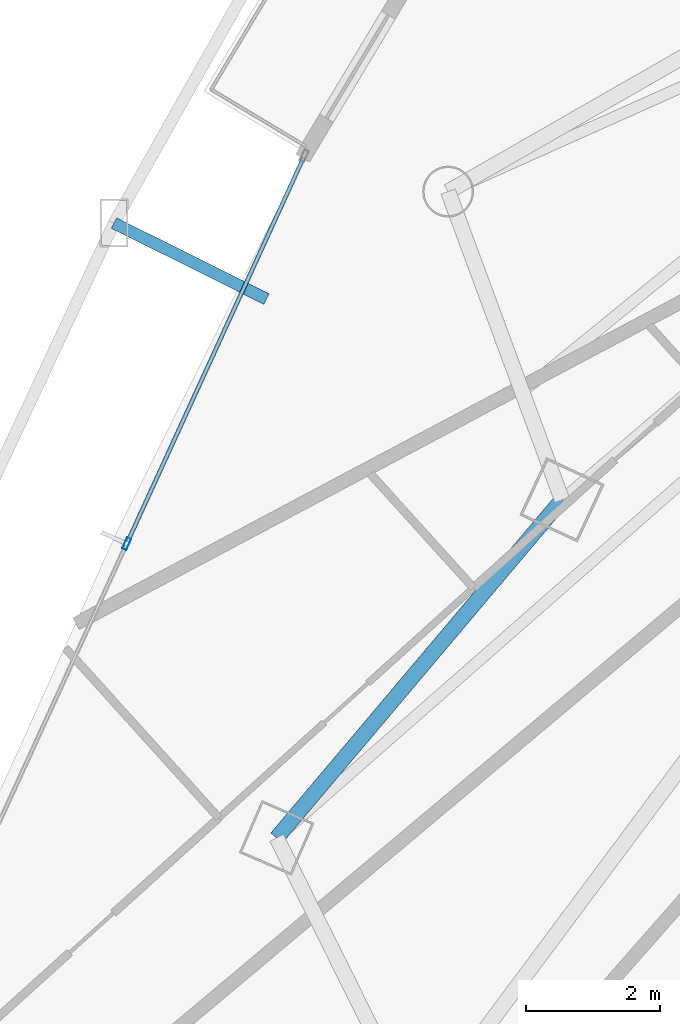
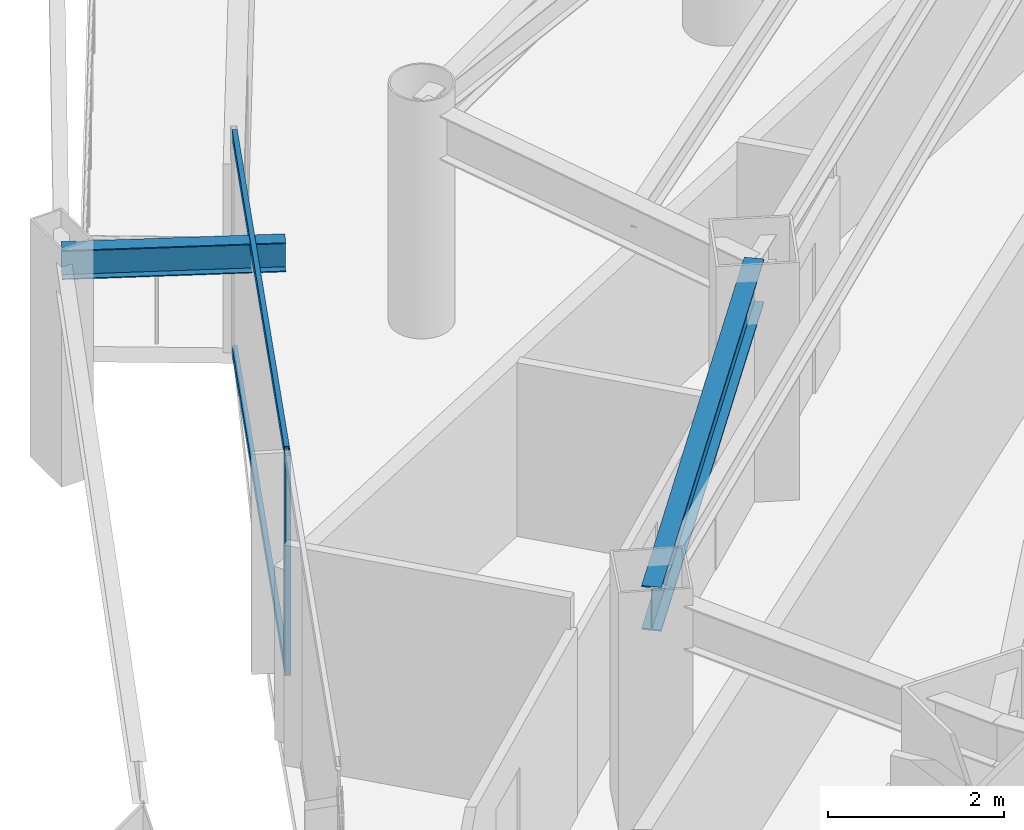
# One storey, part 9 of 38: 3 members, 2 beams, 1 element without a shape of its own.
"""IFC4 building model written with IfcOpenShell, lengths in metres."""

from ifc_helpers import new_model, si_unit, direction, frame, origin, origin_2d, place, context, subcontext, project, spatial, hollow_rectangle, i_section, extrude, material, layer, layer_set, material_profile, profile_set, type_object, element, aggregate, save


model = new_model("IFC4")

# Units and contexts
model_context = context("Model", 3, precision=1e-05, world=origin(), true_north=direction((0.0, 1.0)))
body_context = subcontext(model_context, "Body", "Model", "MODEL_VIEW")
ifc_project = project(units=[si_unit("LENGTHUNIT", "METRE"), si_unit("AREAUNIT", "SQUARE_METRE"), si_unit("VOLUMEUNIT", "CUBIC_METRE"), si_unit("PLANEANGLEUNIT", "RADIAN"), si_unit("MASSUNIT", "GRAM", prefix="KILO")], contexts=[model_context])

# Site, building, storey
site_placement = place(None, origin())
site = spatial("IfcSite", under=ifc_project, at=site_placement, CompositionType="ELEMENT")
building_placement = place(site_placement, origin())
building = spatial("IfcBuilding", under=site, at=building_placement, Name="Orvanel Arch Residences", CompositionType="ELEMENT")
storey_placement = place(building_placement, frame((0.0, 0.0, 46.699951171875)))
storey = spatial("IfcBuildingStorey", under=building, at=storey_placement, Name="L12", CompositionType="ELEMENT", Elevation=46.699951171875)

# Curtain wall, member
ifc_material_1 = material(Name="Bronze-anodised aluminium AA6063-T6", Category="aluminium")
ifc_layer = layer(ifc_material_1, 0.179931640625)
ifc_layer_set = layer_set([ifc_layer], Name="Bronze-anodised aluminium AA6063-T6")
curtain_wall_type = type_object("IfcCurtainWallType", Name="CW2-LOW-SYS", PredefinedType="NOTDEFINED", material=ifc_layer_set)
curtain_wall_placement = place(storey_placement, origin())
curtain_wall = element("IfcCurtainWall", 1, at=curtain_wall_placement, inside=storey, type_object=curtain_wall_type, Name="L12 CW2-LOW-SYS Unitised Curtain Wall", PredefinedType="NOTDEFINED")
ifc_material_profile_1 = material_profile(ifc_material_1, hollow_rectangle(XDim=0.070068359375, YDim=0.179931640625, WallThickness=0.00439453125, at=origin_2d()), Name="ALU180x70x4.5")
ifc_profile_set_1 = profile_set([ifc_material_profile_1], Name="Bronze-anodised aluminium AA6063-T6")
member_type_1 = type_object("IfcMemberType", Name="MUL-180x70", PredefinedType="MULLION", material=ifc_profile_set_1)
member_1_placement = place(storey_placement, frame((9.849609375, 18.9833984375, 0.0), z_axis=(0.0, 0.0, 1.0), x_axis=(0.909193369398, -0.416374131092, 0.0)))
member_1 = element("IfcMember", 2, at=member_1_placement, type_object=member_type_1, Name="CW-S2 mullion 2", PredefinedType="MULLION", context=body_context, shape_type="SweptSolid", body=[
    extrude(hollow_rectangle(XDim=0.070068359375, YDim=0.179931640625, WallThickness=0.00439453125, at=origin_2d()), origin(), (0.0, 0.0, 1.0), 3.06005859375),
])

# Beams
ifc_material_2 = material(Name="Structural steel AS/NZS 3679.1 Grade 300 (300 MPa)", Category="steel")
ifc_material_profile_2 = material_profile(ifc_material_2, i_section(OverallWidth=0.177978515625, OverallDepth=0.406005859375, WebThickness=0.0078125, FlangeThickness=0.0126953125, at=origin_2d()), Name="410UB59.7")
ifc_profile_set_2 = profile_set([ifc_material_profile_2], Name="Structural steel AS/NZS 3679.1 Grade 300 (300 MPa)")
beam_type_1 = type_object("IfcBeamType", Name="OB-410UB-EXT", PredefinedType="SPANDREL", material=ifc_profile_set_2)
beam_1_placement = place(storey_placement, frame((11.94189453125, 22.64794921875, 2.85693359375), z_axis=(-0.895134441845, 0.445796288704, 0.0), x_axis=(-0.445796288704, -0.895134441845, 0.0)))
element("IfcBeam", 3, at=beam_1_placement, inside=storey, type_object=beam_type_1, Name="L12 Outer Frame Radial Tie Beam 03", PredefinedType="SPANDREL", context=body_context, shape_type="SweptSolid", body=[
    extrude(i_section(OverallWidth=0.177978515625, OverallDepth=0.406005859375, WebThickness=0.0078125, FlangeThickness=0.0126953125, at=origin_2d()), origin(), (0.0, 0.0, 1.0), 2.55029296875),
])
ifc_material_profile_3 = material_profile(ifc_material_2, i_section(OverallWidth=0.22900390625, OverallDepth=0.612060546875, WebThickness=0.011962890625, FlangeThickness=0.01953125, at=origin_2d()), Name="610UB125")
ifc_profile_set_3 = profile_set([ifc_material_profile_3], Name="Structural steel AS/NZS 3679.1 Grade 300 (300 MPa)")
beam_type_2 = type_object("IfcBeamType", Name="SP-610UB", PredefinedType="SPANDREL", material=ifc_profile_set_3)
beam_2_placement = place(storey_placement, frame((16.366943359375, 19.64208984375, 2.754150390625), z_axis=(-0.644950329775, -0.764224490659, 0.0), x_axis=(0.764224490659, -0.644950329775, 0.0)))
element("IfcBeam", 4, at=beam_2_placement, inside=storey, type_object=beam_type_2, Name="L12 Perimeter Spandrel Beam 01", PredefinedType="SPANDREL", context=body_context, shape_type="SweptSolid", body=[
    extrude(i_section(OverallWidth=0.22900390625, OverallDepth=0.612060546875, WebThickness=0.011962890625, FlangeThickness=0.01953125, at=origin_2d()), origin(), (0.0, 0.0, 1.0), 6.623779296875),
])

# Member
ifc_material_profile_4 = material_profile(ifc_material_1, hollow_rectangle(XDim=0.06005859375, YDim=0.135009765625, WallThickness=0.00390625, at=origin_2d()), Name="ALU135x60x4")
ifc_profile_set_4 = profile_set([ifc_material_profile_4], Name="Bronze-anodised aluminium AA6063-T6")
member_type_2 = type_object("IfcMemberType", Name="TRN-135x60", PredefinedType="USERDEFINED", material=ifc_profile_set_4)
member_2_placement = place(storey_placement, frame((12.494873046875, 24.75927734375, 0.030029296875), z_axis=(-0.416377925515, -0.909191631695, 0.0), x_axis=(0.909191631695, -0.416377925515, 0.0)))
member_2 = element("IfcMember", 5, at=member_2_placement, type_object=member_type_2, Name="CW-S2 transom 1.1", ObjectType="TRANSOM", PredefinedType="USERDEFINED", context=body_context, shape_type="SweptSolid", body=[
    extrude(hollow_rectangle(XDim=0.06005859375, YDim=0.135009765625, WallThickness=0.00390625, at=origin_2d()), origin(), (0.0, 0.0, 1.0), 6.31787109375),
])

member_3_placement = place(storey_placement, frame((12.494873046875, 24.75927734375, 3.030029296875), z_axis=(-0.416377925515, -0.909191631695, 0.0), x_axis=(0.909191631695, -0.416377925515, 0.0)))
member_3 = element("IfcMember", 6, at=member_3_placement, type_object=member_type_2, Name="CW-S2 transom 1.2", ObjectType="TRANSOM", PredefinedType="USERDEFINED", context=body_context, shape_type="SweptSolid", body=[
    extrude(hollow_rectangle(XDim=0.06005859375, YDim=0.135009765625, WallThickness=0.00390625, at=origin_2d()), origin(), (0.0, 0.0, 1.0), 6.31787109375),
])

aggregate(curtain_wall, [member_1, member_2, member_3])

save(model, "model.ifc")
